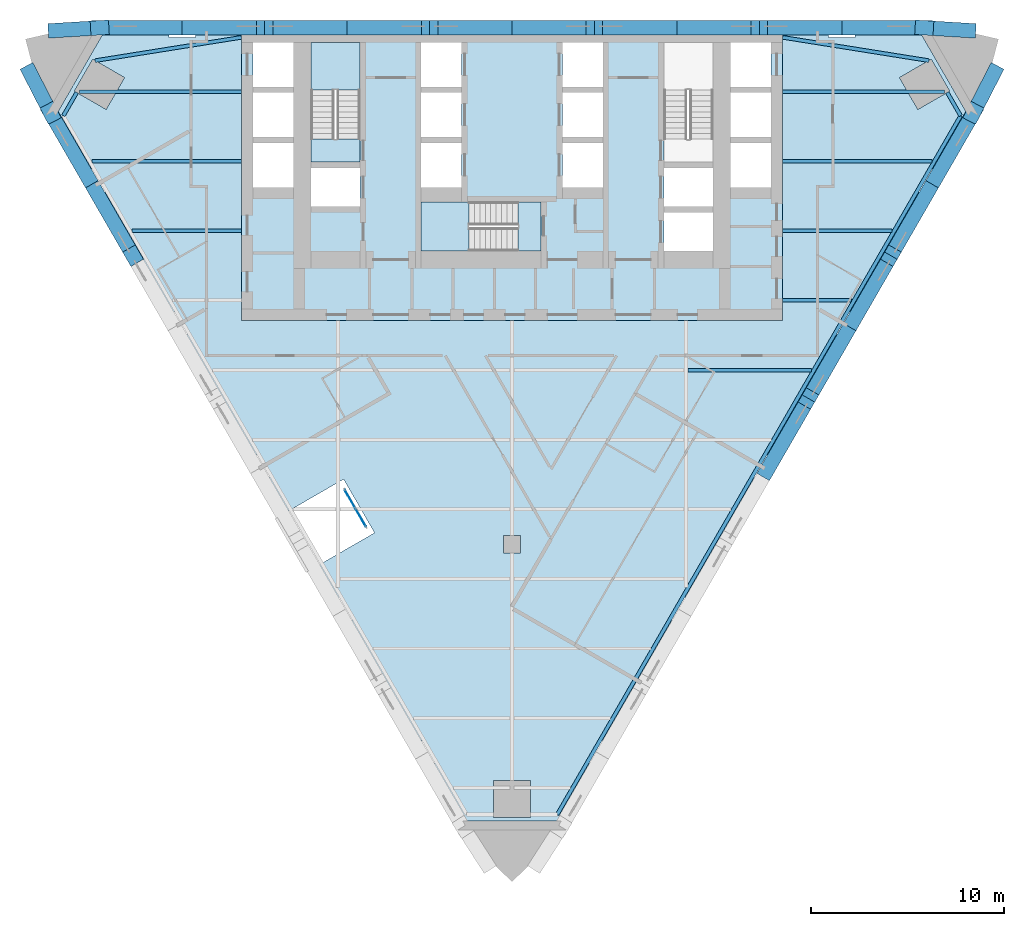
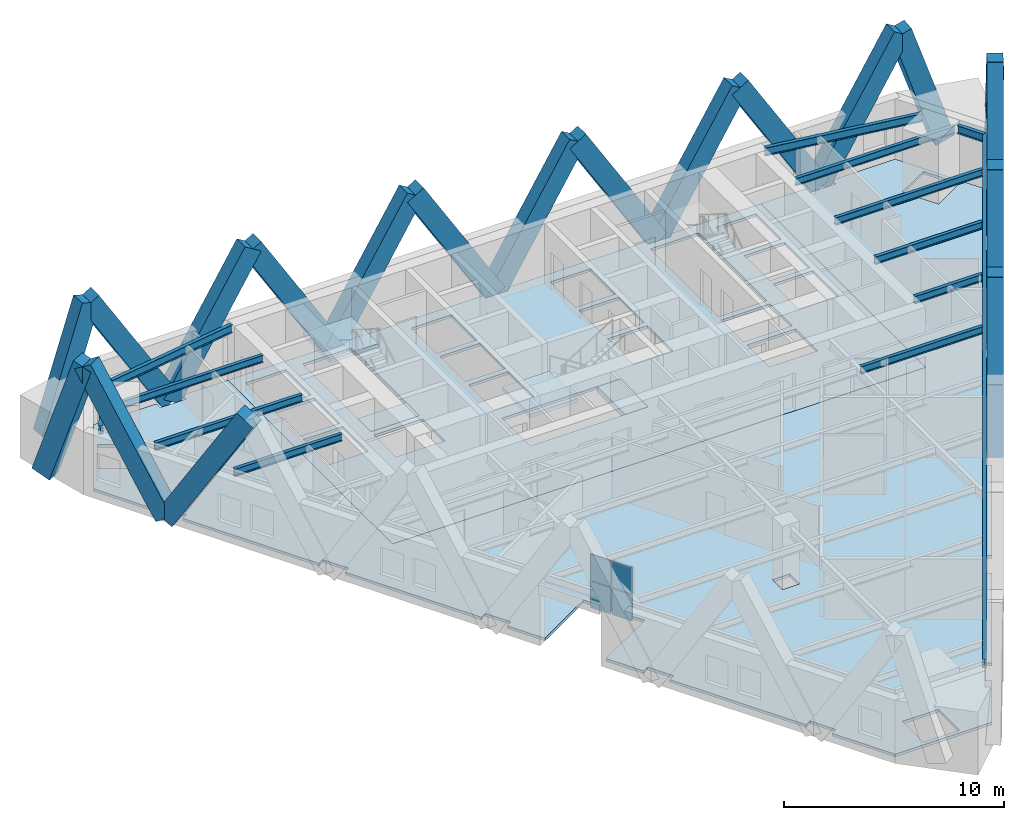
# One storey, part 5 of 12: 21 members, 13 beams, 6 slabs, 4 plates, 3 elements without a shape of their own.
"""IFC4 building model written with IfcOpenShell, lengths in metres."""

from ifc_helpers import new_model, si_unit, direction, frame, origin, origin_2d, place, context, subcontext, project, spatial, polyline, rectangle, i_section, outline, extrude, material, layer, layer_set, material_profile, profile_set, type_object, element, aggregate, save


model = new_model("IFC4")

# Units and contexts
model_context = context("Model", 3, precision=1e-05, world=origin(), true_north=direction((0.0, 1.0)))
body_context = subcontext(model_context, "Body", "Model", "MODEL_VIEW")
ifc_project = project(units=[si_unit("LENGTHUNIT", "METRE"), si_unit("AREAUNIT", "SQUARE_METRE"), si_unit("VOLUMEUNIT", "CUBIC_METRE"), si_unit("PLANEANGLEUNIT", "RADIAN"), si_unit("MASSUNIT", "GRAM", prefix="KILO")], contexts=[model_context])

# Site, building, storey
site_placement = place(None, origin())
site = spatial("IfcSite", under=ifc_project, at=site_placement, CompositionType="ELEMENT")
building_placement = place(site_placement, origin())
building = spatial("IfcBuilding", under=site, at=building_placement, Name="Aloe Facet Convention Tower", CompositionType="ELEMENT")
storey_placement = place(building_placement, frame((0.0, 0.0, 102.800048828125)))
storey = spatial("IfcBuildingStorey", under=building, at=storey_placement, Name="L25", CompositionType="ELEMENT", Elevation=102.800048828125)

# Beams
ifc_material_1 = material(Name="Steel S355", Category="steel")
ifc_material_profile_1 = material_profile(ifc_material_1, i_section(OverallWidth=0.177734375, OverallDepth=0.402587890625, WebThickness=0.0078125, FlangeThickness=0.010986328125, FilletRadius=0.01025390625, at=origin_2d()), Name="UB 406x178x54")
ifc_profile_set_1 = profile_set([ifc_material_profile_1], Name="Steel S355")
beam_type_1 = type_object("IfcBeamType", Name="SF-B-UB406x178x54", PredefinedType="BEAM", material=ifc_profile_set_1)
beam_1_placement = place(storey_placement, frame((57.6376953125, 131.39990234375, 3.148681640625), z_axis=(1.0, 0.0, 0.0), x_axis=(0.0, 1.0, 0.0)))
element("IfcBeam", 1, at=beam_1_placement, inside=storey, type_object=beam_type_1, Name="Floor beam FB-Z2B-013", PredefinedType="BEAM", context=body_context, shape_type="SweptSolid", body=[
    extrude(i_section(OverallWidth=0.177734375, OverallDepth=0.402587890625, WebThickness=0.0078125, FlangeThickness=0.010986328125, FilletRadius=0.01025390625, at=origin_2d()), origin(), (0.0, 0.0, 1.0), 8.3623046875),
])
beam_2_placement = place(storey_placement, frame((58.27294921875, 127.800048828125, 3.148681640625), z_axis=(1.0, 0.0, 0.0), x_axis=(0.0, 1.0, 0.0)))
element("IfcBeam", 2, at=beam_2_placement, inside=storey, type_object=beam_type_1, Name="Floor beam FB-Z2B-014", PredefinedType="BEAM", context=body_context, shape_type="SweptSolid", body=[
    extrude(i_section(OverallWidth=0.177734375, OverallDepth=0.402587890625, WebThickness=0.0078125, FlangeThickness=0.010986328125, FilletRadius=0.01025390625, at=origin_2d()), origin(), (0.0, 0.0, 1.0), 7.72705078125),
])
beam_3_placement = place(storey_placement, frame((60.351318359375, 124.199951171875, 3.148681640625), z_axis=(1.0, 0.0, 0.0), x_axis=(0.0, 1.0, 0.0)))
element("IfcBeam", 3, at=beam_3_placement, inside=storey, type_object=beam_type_1, Name="Floor beam FB-Z2B-015", PredefinedType="BEAM", context=body_context, shape_type="SweptSolid", body=[
    extrude(i_section(OverallWidth=0.177734375, OverallDepth=0.402587890625, WebThickness=0.0078125, FlangeThickness=0.010986328125, FilletRadius=0.01025390625, at=origin_2d()), origin(), (0.0, 0.0, 1.0), 5.648681640625),
])
beam_4_placement = place(storey_placement, frame((89.10546875, 117.0, 3.148681640625), z_axis=(1.0, 0.0, 0.0), x_axis=(0.0, 1.0, 0.0)))
element("IfcBeam", 4, at=beam_4_placement, inside=storey, type_object=beam_type_1, Name="Floor beam FB-Z2B-036", PredefinedType="BEAM", context=body_context, shape_type="SweptSolid", body=[
    extrude(i_section(OverallWidth=0.177734375, OverallDepth=0.402587890625, WebThickness=0.0078125, FlangeThickness=0.010986328125, FilletRadius=0.01025390625, at=origin_2d()), origin(), (0.0, 0.0, 1.0), 6.38623046875),
])
beam_5_placement = place(storey_placement, frame((94.0, 120.60009765625, 3.148681640625), z_axis=(1.0, 0.0, 0.0), x_axis=(0.0, 1.0, 0.0)))
element("IfcBeam", 5, at=beam_5_placement, inside=storey, type_object=beam_type_1, Name="Floor beam FB-Z2B-037", PredefinedType="BEAM", context=body_context, shape_type="SweptSolid", body=[
    extrude(i_section(OverallWidth=0.177734375, OverallDepth=0.402587890625, WebThickness=0.0078125, FlangeThickness=0.010986328125, FilletRadius=0.01025390625, at=origin_2d()), origin(), (0.0, 0.0, 1.0), 3.570068359375),
])
beam_6_placement = place(storey_placement, frame((94.0, 124.199951171875, 3.148681640625), z_axis=(1.0, 0.0, 0.0), x_axis=(0.0, 1.0, 0.0)))
element("IfcBeam", 6, at=beam_6_placement, inside=storey, type_object=beam_type_1, Name="Floor beam FB-Z2B-038", PredefinedType="BEAM", context=body_context, shape_type="SweptSolid", body=[
    extrude(i_section(OverallWidth=0.177734375, OverallDepth=0.402587890625, WebThickness=0.0078125, FlangeThickness=0.010986328125, FilletRadius=0.01025390625, at=origin_2d()), origin(), (0.0, 0.0, 1.0), 5.648681640625),
])
beam_7_placement = place(storey_placement, frame((94.0, 127.800048828125, 3.148681640625), z_axis=(1.0, 0.0, 0.0), x_axis=(0.0, 1.0, 0.0)))
element("IfcBeam", 7, at=beam_7_placement, inside=storey, type_object=beam_type_1, Name="Floor beam FB-Z2B-039", PredefinedType="BEAM", context=body_context, shape_type="SweptSolid", body=[
    extrude(i_section(OverallWidth=0.177734375, OverallDepth=0.402587890625, WebThickness=0.0078125, FlangeThickness=0.010986328125, FilletRadius=0.01025390625, at=origin_2d()), origin(), (0.0, 0.0, 1.0), 7.72705078125),
])
beam_8_placement = place(storey_placement, frame((94.0, 131.39990234375, 3.148681640625), z_axis=(1.0, 0.0, 0.0), x_axis=(0.0, 1.0, 0.0)))
element("IfcBeam", 8, at=beam_8_placement, inside=storey, type_object=beam_type_1, Name="Floor beam FB-Z2B-040", PredefinedType="BEAM", context=body_context, shape_type="SweptSolid", body=[
    extrude(i_section(OverallWidth=0.177734375, OverallDepth=0.402587890625, WebThickness=0.0078125, FlangeThickness=0.010986328125, FilletRadius=0.01025390625, at=origin_2d()), origin(), (0.0, 0.0, 1.0), 8.3623046875),
])
ifc_material_2 = material(Name="Steel S355", Category="steel")
ifc_material_profile_2 = material_profile(ifc_material_2, i_section(OverallWidth=0.18994140625, OverallDepth=0.453369140625, WebThickness=0.008544921875, FlangeThickness=0.0126953125, FilletRadius=0.01025390625, at=origin_2d()), Name="UB 457x191x67")
ifc_profile_set_2 = profile_set([ifc_material_profile_2], Name="Steel S355")
beam_type_2 = type_object("IfcBeamType", Name="SF-B-UB457x191x67", PredefinedType="BEAM", material=ifc_profile_set_2)
beam_9_placement = place(storey_placement, frame((56.79638671875, 130.150390625, 3.123291015625), z_axis=(0.500046568876, 0.865998515562, 0.0), x_axis=(-0.865998515562, 0.500046568876, 0.0)))
element("IfcBeam", 9, at=beam_9_placement, inside=storey, type_object=beam_type_2, Name="Floor beam FB-Z2B-001", PredefinedType="BEAM", context=body_context, shape_type="SweptSolid", body=[
    extrude(i_section(OverallWidth=0.18994140625, OverallDepth=0.453369140625, WebThickness=0.008544921875, FlangeThickness=0.0126953125, FilletRadius=0.01025390625, at=origin_2d()), origin(), (0.0, 0.0, 1.0), 1.390869140625),
])
for number, where, z_axis, x_axis, name in (
    (10, (58.44189453125, 133.00048828125, 3.123291015625), (0.987536396348, 0.15739080624, 0.0), (-0.15739080624, 0.987536396348, 0.0), "Floor beam FB-Z2B-002"),
    (11, (101.55810546875, 133.00048828125, 3.123291015625), (-0.987536396348, 0.15739080624, 0.0), (-0.15739080624, -0.987536396348, 0.0), "Floor beam FB-Z2B-006"),
):
    element("IfcBeam", number, at=place(storey_placement, frame(where, z_axis=z_axis, x_axis=x_axis)), inside=storey, type_object=beam_type_2, Name=name, PredefinedType="BEAM", context=body_context, shape_type="SweptSolid", body=[
        extrude(i_section(OverallWidth=0.18994140625, OverallDepth=0.453369140625, WebThickness=0.008544921875, FlangeThickness=0.0126953125, FilletRadius=0.01025390625, at=origin_2d()), origin(), (0.0, 0.0, 1.0), 7.653564453125),
    ])
beam_10_placement = place(storey_placement, frame((102.508056640625, 131.35498046875, 3.123291015625), z_axis=(0.500046568876, -0.865998515562, 0.0), x_axis=(0.865998515562, 0.500046568876, 0.0)))
element("IfcBeam", 12, at=beam_10_placement, inside=storey, type_object=beam_type_2, Name="Floor beam FB-Z2B-007", PredefinedType="BEAM", context=body_context, shape_type="SweptSolid", body=[
    extrude(i_section(OverallWidth=0.18994140625, OverallDepth=0.453369140625, WebThickness=0.008544921875, FlangeThickness=0.0126953125, FilletRadius=0.01025390625, at=origin_2d()), origin(), (0.0, 0.0, 1.0), 1.390869140625),
])
beam_11_placement = place(storey_placement, frame((103.20361328125, 130.150390625, 3.123291015625), z_axis=(-0.499997308433, -0.866026957756, 0.0), x_axis=(0.866026957756, -0.499997308433, 0.0)))
element("IfcBeam", 13, at=beam_11_placement, inside=storey, type_object=beam_type_2, Name="Floor beam FB-Z2B-008", PredefinedType="BEAM", context=body_context, shape_type="SweptSolid", body=[
    extrude(i_section(OverallWidth=0.18994140625, OverallDepth=0.453369140625, WebThickness=0.008544921875, FlangeThickness=0.0126953125, FilletRadius=0.01025390625, at=origin_2d()), origin(), (0.0, 0.0, 1.0), 41.725341796875),
])

# Members
ifc_material_3 = material(Name="Concrete C60/75, bronze oxide finish", Category="concrete")
ifc_material_profile_3 = material_profile(ifc_material_3, rectangle(XDim=0.75, YDim=1.0, at=origin_2d()), Name="STW-LM")
ifc_profile_set_3 = profile_set([ifc_material_profile_3], Name="Concrete C60/75, bronze oxide finish")
member_type = type_object("IfcMemberType", Name="STW-LM", PredefinedType="BRACE", material=ifc_profile_set_3)
for number, where, z_axis, x_axis, name in (
    (14, (97.05712890625, 134.699951171875, 0.0), (0.520261568685, 0.0, 0.854006967272), (0.0, 1.0, 0.0), "Lattice member LM-Z2-F1-R3-01"),
    (15, (97.05712890625, 134.699951171875, 0.0), (-0.520239844858, 0.0, 0.854020201062), (0.0, -1.0, 0.0), "Lattice member LM-Z2-F1-R3-02"),
    (16, (88.528564453125, 134.699951171875, 0.0), (0.520261568685, 0.0, 0.854006967272), (0.0, 1.0, 0.0), "Lattice member LM-Z2-F1-R3-03"),
    (17, (88.528564453125, 134.699951171875, 0.0), (-0.520239844858, 0.0, 0.854020201062), (0.0, -1.0, 0.0), "Lattice member LM-Z2-F1-R3-04"),
    (18, (80.0, 134.699951171875, 0.0), (0.520261568685, 0.0, 0.854006967272), (0.0, 1.0, 0.0), "Lattice member LM-Z2-F1-R3-05"),
    (19, (80.0, 134.699951171875, 0.0), (-0.520261568685, 0.0, 0.854006967272), (0.0, -1.0, 0.0), "Lattice member LM-Z2-F1-R3-06"),
    (20, (71.471435546875, 134.699951171875, 0.0), (0.520239844858, 0.0, 0.854020201062), (0.0, 1.0, 0.0), "Lattice member LM-Z2-F1-R3-07"),
    (21, (71.471435546875, 134.699951171875, 0.0), (-0.520261568685, 0.0, 0.854006967272), (0.0, -1.0, 0.0), "Lattice member LM-Z2-F1-R3-08"),
    (22, (62.94287109375, 134.699951171875, 0.0), (0.520239844858, 0.0, 0.854020201062), (0.0, 1.0, 0.0), "Lattice member LM-Z2-F1-R3-09"),
    (23, (62.94287109375, 134.699951171875, 0.0), (-0.520261568685, 0.0, 0.854006967272), (0.0, -1.0, 0.0), "Lattice member LM-Z2-F1-R3-10"),
):
    element("IfcMember", number, at=place(storey_placement, frame(where, z_axis=z_axis, x_axis=x_axis)), inside=storey, type_object=member_type, Name=name, PredefinedType="BRACE", context=body_context, shape_type="SweptSolid", body=[
        extrude(rectangle(XDim=0.75, YDim=1.0, at=origin_2d()), origin(), (0.0, 0.0, 1.0), 8.196533203125),
    ])
member_1_placement = place(storey_placement, frame((58.2705078125, 126.607177734375, 0.0), z_axis=(-0.260144200438, 0.450561177013, 0.854002119873), x_axis=(-0.866014930446, -0.500018139916, 0.0)))
element("IfcMember", 24, at=member_1_placement, inside=storey, type_object=member_type, Name="Lattice member LM-Z2-F2-R3-01", PredefinedType="BRACE", context=body_context, shape_type="SweptSolid", body=[
    extrude(rectangle(XDim=0.75, YDim=1.0, at=origin_2d()), origin(), (0.0, 0.0, 1.0), 8.19677734375),
])
for number, where, z_axis, x_axis, name in (
    (25, (58.2705078125, 126.607177734375, 0.0), (0.26011992139, -0.45054092877, 0.854020197653), (0.866025408043, 0.499999992624, 0.0), "Lattice member LM-Z2-F2-R3-02"),
    (26, (93.200927734375, 111.835205078125, 0.0), (0.260116430601, 0.450564668007, 0.854008736768), (-0.866039720501, 0.4999752019, 0.0), "Lattice member LM-Z2-F3-R3-06"),
    (27, (97.46533203125, 119.22119140625, 0.0), (-0.260147691546, -0.450537437867, 0.854013580491), (0.866000615939, -0.500042931351, 0.0), "Lattice member LM-Z2-F3-R3-07"),
    (28, (97.46533203125, 119.22119140625, 0.0), (0.260116430601, 0.450564668007, 0.854008736768), (-0.866039720501, 0.4999752019, 0.0), "Lattice member LM-Z2-F3-R3-08"),
    (29, (101.7294921875, 126.607177734375, 0.0), (-0.26011992139, -0.45054092877, 0.854020197653), (0.866025408043, -0.499999992624, 0.0), "Lattice member LM-Z2-F3-R3-09"),
):
    element("IfcMember", number, at=place(storey_placement, frame(where, z_axis=z_axis, x_axis=x_axis)), inside=storey, type_object=member_type, Name=name, PredefinedType="BRACE", context=body_context, shape_type="SweptSolid", body=[
        extrude(rectangle(XDim=0.75, YDim=1.0, at=origin_2d()), origin(), (0.0, 0.0, 1.0), 8.196533203125),
    ])
member_2_placement = place(storey_placement, frame((101.7294921875, 126.607177734375, 0.0), z_axis=(0.260144200438, 0.450561177013, 0.854002119873), x_axis=(-0.866014930446, 0.500018139916, 0.0)))
element("IfcMember", 30, at=member_2_placement, inside=storey, type_object=member_type, Name="Lattice member LM-Z2-F3-R3-10", PredefinedType="BRACE", context=body_context, shape_type="SweptSolid", body=[
    extrude(rectangle(XDim=0.75, YDim=1.0, at=origin_2d()), origin(), (0.0, 0.0, 1.0), 8.19677734375),
])
member_3_placement = place(storey_placement, frame((104.89404296875, 132.3076171875, 0.1728515625), z_axis=(-0.14355211909, -0.279159300652, 0.949453987281), x_axis=(0.889307911629, -0.457308909069, 0.0)))
element("IfcMember", 31, at=member_3_placement, inside=storey, type_object=member_type, Name="Lattice member LM-Z2-F6-R2-05", PredefinedType="BRACE", context=body_context, shape_type="SweptSolid", body=[
    extrude(rectangle(XDim=0.75, YDim=1.0, at=origin_2d()), origin(), (0.0, 0.0, 1.0), 7.190673828125),
])
for number, where, z_axis, x_axis, name in (
    (32, (103.512451171875, 134.56689453125, 0.41357421875), (-0.315578834817, 0.019165418428, 0.948705795151), (-0.060619313829, -0.998160958358, 0.0), "Lattice member LM-Z2-F6-R2-06"),
    (33, (56.487548828125, 134.56689453125, 0.41357421875), (0.315578834817, 0.019165418428, 0.948705795151), (-0.060619313829, 0.998160958358, 0.0), "Lattice member LM-Z2-F4-R2-05"),
):
    element("IfcMember", number, at=place(storey_placement, frame(where, z_axis=z_axis, x_axis=x_axis)), inside=storey, type_object=member_type, Name=name, PredefinedType="BRACE", context=body_context, shape_type="SweptSolid", body=[
        extrude(rectangle(XDim=0.75, YDim=1.0, at=origin_2d()), origin(), (0.0, 0.0, 1.0), 6.942626953125),
    ])
member_4_placement = place(storey_placement, frame((55.10595703125, 132.3076171875, 0.1728515625), z_axis=(0.14355211909, -0.279159300652, 0.949453987281), x_axis=(0.889307911629, 0.457308909069, 0.0)))
element("IfcMember", 34, at=member_4_placement, inside=storey, type_object=member_type, Name="Lattice member LM-Z2-F4-R2-06", PredefinedType="BRACE", context=body_context, shape_type="SweptSolid", body=[
    extrude(rectangle(XDim=0.75, YDim=1.0, at=origin_2d()), origin(), (0.0, 0.0, 1.0), 7.190673828125),
])

# Slabs
ifc_material_4 = material(Name="Concrete C70/85", Category="concrete")
ifc_layer_1 = layer(ifc_material_4, 0.14990234375)
ifc_layer_set_1 = layer_set([ifc_layer_1], Name="CR-S-FLOOR150-C7085")
slab_type_1 = type_object("IfcSlabType", Name="CR-S-FLOOR150-C7085", PredefinedType="FLOOR", material=ifc_layer_set_1)
slab_1_placement = place(storey_placement, frame((0.0, 0.0, -0.150146484375)))
element("IfcSlab", 35, at=slab_1_placement, inside=storey, type_object=slab_type_1, Name="Core floor L25", PredefinedType="FLOOR", context=body_context, shape_type="SweptSolid", body=[
    extrude(outline(polyline([(69.300048828125, 134.550048828125), (71.85009765625, 134.550048828125), (72.75, 134.550048828125), (74.699951171875, 134.550048828125), (75.60009765625, 134.550048828125), (77.10009765625, 134.550048828125), (78.0, 134.550048828125), (82.0, 134.550048828125), (82.89990234375, 134.550048828125), (84.39990234375, 134.550048828125), (85.300048828125, 134.550048828125), (87.25, 134.550048828125), (88.14990234375, 134.550048828125), (90.699951171875, 134.550048828125), (91.0, 134.550048828125), (94.0, 134.550048828125), (94.0, 131.949951171875), (94.0, 131.050048828125), (94.0, 129.35009765625), (94.0, 128.449951171875), (94.0, 126.449951171875), (94.0, 125.85009765625), (94.0, 124.949951171875), (94.0, 123.89990234375), (94.0, 122.871337890625), (94.0, 121.821533203125), (94.0, 119.550048828125), (91.300048828125, 119.550048828125), (90.699951171875, 119.550048828125), (87.89990234375, 119.550048828125), (86.85009765625, 119.550048828125), (85.699951171875, 119.550048828125), (84.64990234375, 119.550048828125), (83.699951171875, 119.550048828125), (82.64990234375, 119.550048828125), (81.75, 119.550048828125), (80.699951171875, 119.550048828125), (79.61669921875, 119.550048828125), (78.566650390625, 119.550048828125), (77.4833984375, 119.550048828125), (76.433349609375, 119.550048828125), (75.35009765625, 119.550048828125), (74.300048828125, 119.550048828125), (73.14990234375, 119.550048828125), (72.10009765625, 119.550048828125), (69.300048828125, 119.550048828125), (68.699951171875, 119.550048828125), (66.0, 119.550048828125), (66.0, 122.523681640625), (66.0, 123.57373046875), (66.0, 125.85009765625), (66.0, 126.449951171875), (66.0, 128.449951171875), (66.0, 129.35009765625), (66.0, 131.050048828125), (66.0, 131.949951171875), (66.0, 134.550048828125), (69.0, 134.550048828125), (69.300048828125, 134.550048828125)]), holes=[polyline([(75.300048828125, 123.14990234375), (80.298828125, 123.14990234375), (81.5, 123.14990234375), (81.5, 125.699951171875), (80.298828125, 125.699951171875), (75.300048828125, 125.699951171875), (75.300048828125, 123.14990234375)]), polyline([(69.60009765625, 125.449951171875), (72.14990234375, 125.449951171875), (72.14990234375, 127.449951171875), (69.60009765625, 127.449951171875), (69.60009765625, 125.449951171875)]), polyline([(66.60009765625, 126.449951171875), (68.699951171875, 126.449951171875), (68.699951171875, 128.75), (66.60009765625, 128.75), (66.60009765625, 126.449951171875)]), polyline([(75.300048828125, 126.449951171875), (77.39990234375, 126.449951171875), (77.39990234375, 128.75), (75.300048828125, 128.75), (75.300048828125, 126.449951171875)]), polyline([(66.60009765625, 129.050048828125), (68.699951171875, 129.050048828125), (68.699951171875, 131.35009765625), (66.60009765625, 131.35009765625), (66.60009765625, 129.050048828125)]), polyline([(75.300048828125, 129.050048828125), (77.39990234375, 129.050048828125), (77.39990234375, 131.35009765625), (75.300048828125, 131.35009765625), (75.300048828125, 129.050048828125)]), polyline([(69.60009765625, 133.949951171875), (69.60009765625, 128.951171875), (69.60009765625, 127.75), (72.14990234375, 127.75), (72.14990234375, 128.951171875), (72.14990234375, 133.949951171875), (69.60009765625, 133.949951171875)]), polyline([(66.60009765625, 133.949951171875), (66.60009765625, 131.64990234375), (68.699951171875, 131.64990234375), (68.699951171875, 133.949951171875), (66.60009765625, 133.949951171875)]), polyline([(75.300048828125, 133.949951171875), (75.300048828125, 131.64990234375), (77.39990234375, 131.64990234375), (77.39990234375, 133.949951171875), (75.300048828125, 133.949951171875)]), polyline([(87.85009765625, 123.14990234375), (90.39990234375, 123.14990234375), (90.39990234375, 125.14990234375), (87.85009765625, 125.14990234375), (87.85009765625, 123.14990234375)]), polyline([(87.85009765625, 125.449951171875), (90.39990234375, 125.449951171875), (90.39990234375, 127.449951171875), (87.85009765625, 127.449951171875), (87.85009765625, 125.449951171875)]), polyline([(82.60009765625, 126.449951171875), (84.699951171875, 126.449951171875), (84.699951171875, 128.75), (82.60009765625, 128.75), (82.60009765625, 126.449951171875)]), polyline([(91.300048828125, 126.449951171875), (93.39990234375, 126.449951171875), (93.39990234375, 128.75), (91.300048828125, 128.75), (91.300048828125, 126.449951171875)]), polyline([(82.60009765625, 129.050048828125), (84.699951171875, 129.050048828125), (84.699951171875, 131.35009765625), (82.60009765625, 131.35009765625), (82.60009765625, 129.050048828125)]), polyline([(91.300048828125, 129.050048828125), (93.39990234375, 129.050048828125), (93.39990234375, 131.35009765625), (91.300048828125, 131.35009765625), (91.300048828125, 129.050048828125)]), polyline([(87.85009765625, 133.949951171875), (87.85009765625, 128.951171875), (87.85009765625, 127.75), (90.39990234375, 127.75), (90.39990234375, 128.951171875), (90.39990234375, 133.949951171875), (87.85009765625, 133.949951171875)]), polyline([(82.60009765625, 133.949951171875), (82.60009765625, 131.64990234375), (84.699951171875, 131.64990234375), (84.699951171875, 133.949951171875), (82.60009765625, 133.949951171875)]), polyline([(91.300048828125, 133.949951171875), (91.300048828125, 131.64990234375), (93.39990234375, 131.64990234375), (93.39990234375, 133.949951171875), (91.300048828125, 133.949951171875)])]), origin(), (0.0, 0.0, 1.0), 0.150146484375),
])
ifc_material_5 = material(Name="Concrete C70/85", Category="concrete")
ifc_layer_2 = layer(ifc_material_5, 0.300048828125)
ifc_layer_set_2 = layer_set([ifc_layer_2], Name="CR-S-FLOOR300-C7085")
slab_type_2 = type_object("IfcSlabType", Name="CR-S-FLOOR300-C7085", PredefinedType="FLOOR", material=ifc_layer_set_2)
slab_2_placement = place(storey_placement, frame((0.0, 0.0, -0.300048828125)))
element("IfcSlab", 36, at=slab_2_placement, inside=storey, type_object=slab_type_2, Name="Stair landing floor L25", PredefinedType="FLOOR", context=body_context, shape_type="SweptSolid", body=[
    extrude(outline(polyline([(72.14990234375, 127.75), (72.14990234375, 128.951171875), (69.60009765625, 128.951171875), (69.60009765625, 127.75), (72.14990234375, 127.75)])), origin(), (0.0, 0.0, 1.0), 0.300048828125),
])
slab_3_placement = place(storey_placement, frame((0.0, 0.0, -0.300048828125)))
element("IfcSlab", 37, at=slab_3_placement, inside=storey, type_object=slab_type_2, Name="Stair landing floor L25", PredefinedType="FLOOR", context=body_context, shape_type="SweptSolid", body=[
    extrude(outline(polyline([(81.5, 125.699951171875), (80.298828125, 125.699951171875), (80.298828125, 123.14990234375), (81.5, 123.14990234375), (81.5, 125.699951171875)])), origin(), (0.0, 0.0, 1.0), 0.300048828125),
])

# Stair, slab
ifc_material_6 = material(Name="Concrete C50/60", Category="concrete")
stair_type = type_object("IfcStairType", Name="CR-ST-20R", PredefinedType="HALF_TURN_STAIR", material=ifc_material_6)
stair_1_placement = place(storey_placement, origin())
stair_1 = element("IfcStair", 38, at=stair_1_placement, inside=storey, type_object=stair_type, Name="L25 Protected exit stair ST1", PredefinedType="HALF_TURN_STAIR")
ifc_material_7 = material(Name="Concrete C50/60", Category="concrete")
ifc_layer_3 = layer(ifc_material_7, 0.199951171875)
ifc_layer_set_3 = layer_set([ifc_layer_3], Name="CR-SL-LANDING")
slab_type_3 = type_object("IfcSlabType", Name="CR-SL-LANDING", PredefinedType="LANDING", material=ifc_layer_set_3)
slab_4_placement = place(storey_placement, frame((0.0, 0.0, 1.550048828125)))
slab_4 = element("IfcSlab", 39, at=slab_4_placement, type_object=slab_type_3, Name="ST1 landing 1", PredefinedType="LANDING", context=body_context, shape_type="SweptSolid", body=[
    extrude(outline(polyline([(72.14990234375, 131.469970703125), (72.14990234375, 133.949951171875), (69.60009765625, 133.949951171875), (69.60009765625, 131.469970703125), (72.14990234375, 131.469970703125)])), origin(), (0.0, 0.0, 1.0), 0.199951171875),
])
aggregate(stair_1, [slab_4])

stair_2_placement = place(storey_placement, origin())
stair_2 = element("IfcStair", 40, at=stair_2_placement, inside=storey, type_object=stair_type, Name="L25 Protected exit stair ST3", PredefinedType="HALF_TURN_STAIR")
slab_5_placement = place(storey_placement, frame((0.0, 0.0, 1.550048828125)))
slab_5 = element("IfcSlab", 41, at=slab_5_placement, type_object=slab_type_3, Name="ST3 landing 1", PredefinedType="LANDING", context=body_context, shape_type="SweptSolid", body=[
    extrude(outline(polyline([(77.780029296875, 125.699951171875), (75.300048828125, 125.699951171875), (75.300048828125, 123.14990234375), (77.780029296875, 123.14990234375), (77.780029296875, 125.699951171875)])), origin(), (0.0, 0.0, 1.0), 0.199951171875),
])
aggregate(stair_2, [slab_5])

# Curtain wall, plates
ifc_material_8 = material(Name="Aluminium, anodised", Category="aluminium")
curtain_wall_type = type_object("IfcCurtainWallType", Name="EV-CW-TERRACE", PredefinedType="USERDEFINED", material=ifc_material_8)
curtain_wall_placement = place(storey_placement, origin())
curtain_wall = element("IfcCurtainWall", 42, at=curtain_wall_placement, inside=storey, type_object=curtain_wall_type, Name="CW-T05", ObjectType="TERRACE BACK GLAZING", PredefinedType="USERDEFINED")
ifc_material_9 = material(Name="Clear double glazing", Category="glass")
ifc_layer_4 = layer(ifc_material_9, 0.028076171875)
ifc_layer_set_4 = layer_set([ifc_layer_4], Name="EV-PANEL-TERRACE")
plate_type = type_object("IfcPlateType", Name="EV-PANEL-TERRACE", PredefinedType="CURTAIN_PANEL", material=ifc_layer_set_4)
plate_1_placement = place(storey_placement, frame((71.617431640625, 110.33984375, -0.08984375), z_axis=(0.0, 0.0, 1.0), x_axis=(0.49999999994, -0.866025403819, 0.0)))
plate_1 = element("IfcPlate", 43, at=plate_1_placement, type_object=plate_type, Name="CW-T05 panel 1.1", PredefinedType="CURTAIN_PANEL", context=body_context, shape_type="SweptSolid", body=[
    extrude(rectangle(XDim=1.06005859375, YDim=0.028076171875, at=origin_2d()), origin(), (0.0, 0.0, 1.0), 1.458740234375),
])
plate_2_placement = place(storey_placement, frame((71.617431640625, 110.33984375, 1.4287109375), z_axis=(0.0, 0.0, 1.0), x_axis=(0.49999999994, -0.866025403819, 0.0)))
plate_2 = element("IfcPlate", 44, at=plate_2_placement, type_object=plate_type, Name="CW-T05 panel 1.2", PredefinedType="CURTAIN_PANEL", context=body_context, shape_type="SweptSolid", body=[
    extrude(rectangle(XDim=1.06005859375, YDim=0.028076171875, at=origin_2d()), origin(), (0.0, 0.0, 1.0), 1.458740234375),
])
plate_3_placement = place(storey_placement, frame((72.17724609375, 109.369873046875, -0.08984375), z_axis=(0.0, 0.0, 1.0), x_axis=(0.49999999994, -0.866025403819, 0.0)))
plate_3 = element("IfcPlate", 45, at=plate_3_placement, type_object=plate_type, Name="CW-T05 panel 2.1", PredefinedType="CURTAIN_PANEL", context=body_context, shape_type="SweptSolid", body=[
    extrude(rectangle(XDim=1.06005859375, YDim=0.028076171875, at=origin_2d()), origin(), (0.0, 0.0, 1.0), 1.458740234375),
])
plate_4_placement = place(storey_placement, frame((72.17724609375, 109.369873046875, 1.4287109375), z_axis=(0.0, 0.0, 1.0), x_axis=(0.49999999994, -0.866025403819, 0.0)))
plate_4 = element("IfcPlate", 46, at=plate_4_placement, type_object=plate_type, Name="CW-T05 panel 2.2", PredefinedType="CURTAIN_PANEL", context=body_context, shape_type="SweptSolid", body=[
    extrude(rectangle(XDim=1.06005859375, YDim=0.028076171875, at=origin_2d()), origin(), (0.0, 0.0, 1.0), 1.458740234375),
])
aggregate(curtain_wall, [plate_1, plate_2, plate_3, plate_4])

# Slab
ifc_material_10 = material(Name="Concrete C35/45", Category="concrete")
ifc_layer_5 = layer(ifc_material_10, 0.14990234375)
ifc_layer_set_5 = layer_set([ifc_layer_5], Name="SF-FS-150")
slab_type_4 = type_object("IfcSlabType", Name="SF-FS-150", PredefinedType="FLOOR", material=ifc_layer_set_5)
slab_6_placement = place(storey_placement, frame((0.0, 0.0, -0.150146484375)))
element("IfcSlab", 47, at=slab_6_placement, inside=storey, type_object=slab_type_4, Name="Floor slab L25-1", PredefinedType="FLOOR", context=body_context, shape_type="SweptSolid", body=[
    extrude(outline(polyline([(58.938232421875, 134.550048828125), (62.265869140625, 134.550048828125), (62.265869140625, 134.199951171875), (62.357421875, 134.199951171875), (62.696533203125, 134.199951171875), (62.94287109375, 134.199951171875), (63.18896484375, 134.199951171875), (63.5283203125, 134.199951171875), (63.61962890625, 134.199951171875), (63.61962890625, 134.550048828125), (66.0, 134.550048828125), (66.0, 131.949951171875), (66.0, 131.050048828125), (66.0, 129.35009765625), (66.0, 128.449951171875), (66.0, 126.449951171875), (66.0, 125.85009765625), (66.0, 123.57373046875), (66.0, 122.523681640625), (66.0, 119.550048828125), (68.699951171875, 119.550048828125), (69.300048828125, 119.550048828125), (72.10009765625, 119.550048828125), (73.14990234375, 119.550048828125), (74.300048828125, 119.550048828125), (75.35009765625, 119.550048828125), (76.433349609375, 119.550048828125), (77.4833984375, 119.550048828125), (78.566650390625, 119.550048828125), (79.61669921875, 119.550048828125), (80.699951171875, 119.550048828125), (81.75, 119.550048828125), (82.64990234375, 119.550048828125), (83.699951171875, 119.550048828125), (84.64990234375, 119.550048828125), (85.699951171875, 119.550048828125), (86.85009765625, 119.550048828125), (87.89990234375, 119.550048828125), (90.699951171875, 119.550048828125), (91.300048828125, 119.550048828125), (94.0, 119.550048828125), (94.0, 121.8212890625), (94.0, 122.871337890625), (94.0, 123.89990234375), (94.0, 124.949951171875), (94.0, 125.85009765625), (94.0, 126.449951171875), (94.0, 128.449951171875), (94.0, 129.35009765625), (94.0, 131.050048828125), (94.0, 131.949951171875), (94.0, 134.550048828125), (96.38037109375, 134.550048828125), (96.38037109375, 134.199951171875), (96.4716796875, 134.199951171875), (96.81103515625, 134.199951171875), (97.05712890625, 134.199951171875), (97.303466796875, 134.199951171875), (97.642578125, 134.199951171875), (97.734130859375, 134.199951171875), (97.734130859375, 134.550048828125), (101.061767578125, 134.550048828125), (103.601806640625, 130.150390625), (101.93798828125, 127.268310546875), (101.635009765625, 127.443359375), (101.543212890625, 127.2841796875), (101.419677734375, 127.070556640625), (101.050048828125, 126.430419921875), (101.00390625, 126.35009765625), (100.9580078125, 126.27099609375), (101.26123046875, 126.09619140625), (97.673828125, 119.88232421875), (97.37060546875, 120.057373046875), (96.9091796875, 119.258056640625), (96.739501953125, 118.964111328125), (96.69384765625, 118.885009765625), (96.996826171875, 118.710205078125), (93.409423828125, 112.496337890625), (93.1064453125, 112.67138671875), (92.89111328125, 112.298583984375), (92.79931640625, 112.139404296875), (92.644775390625, 111.8720703125), (92.644775390625, 111.8720703125), (92.610595703125, 111.812744140625), (92.47509765625, 111.578125), (92.429443359375, 111.4990234375), (92.732666015625, 111.32421875), (89.145263671875, 105.1103515625), (88.842041015625, 105.285400390625), (88.75, 105.126220703125), (88.503662109375, 104.69921875), (88.2109375, 104.192138671875), (88.165283203125, 104.113037109375), (88.46826171875, 103.93798828125), (84.880859375, 97.724365234375), (84.577880859375, 97.8994140625), (84.529296875, 97.8154296875), (84.2392578125, 97.313232421875), (83.946533203125, 96.80615234375), (83.90087890625, 96.72705078125), (84.2041015625, 96.552001953125), (82.540283203125, 93.67041015625), (77.459716796875, 93.67041015625), (75.7958984375, 96.552001953125), (76.09912109375, 96.72705078125), (76.053466796875, 96.80615234375), (75.8837890625, 97.10009765625), (75.422119140625, 97.8994140625), (75.119140625, 97.724365234375), (71.53173828125, 103.93798828125), (71.834716796875, 104.113037109375), (71.7890625, 104.192138671875), (71.619384765625, 104.486083984375), (71.157958984375, 105.285400390625), (70.854736328125, 105.1103515625), (69.861083984375, 106.83154296875), (72.89208984375, 108.58154296875), (71.292236328125, 111.352783203125), (68.260986328125, 109.602783203125), (67.267333984375, 111.32421875), (67.570556640625, 111.4990234375), (67.52490234375, 111.578125), (67.232177734375, 112.085205078125), (67.1201171875, 112.279296875), (66.8935546875, 112.67138671875), (66.590576171875, 112.496337890625), (63.003173828125, 118.710205078125), (63.30615234375, 118.885009765625), (63.0908203125, 119.258056640625), (62.9677734375, 119.47119140625), (62.675048828125, 119.978271484375), (62.62939453125, 120.057373046875), (62.326171875, 119.88232421875), (58.73876953125, 126.09619140625), (59.0419921875, 126.27099609375), (58.99609375, 126.35009765625), (58.959716796875, 126.413330078125), (58.580322265625, 127.070556640625), (58.364990234375, 127.443359375), (58.06201171875, 127.268310546875), (56.398193359375, 130.150390625), (58.938232421875, 134.550048828125)]), holes=[polyline([(59.9619140625, 132.122802734375), (58.31640625, 133.072998046875), (57.366455078125, 131.427490234375), (59.01171875, 130.477294921875), (59.9619140625, 132.122802734375)]), polyline([(79.050048828125, 95.770263671875), (79.050048828125, 93.870361328125), (80.949951171875, 93.870361328125), (80.949951171875, 95.770263671875), (79.050048828125, 95.770263671875)]), polyline([(79.550048828125, 107.550048828125), (80.449951171875, 107.550048828125), (80.449951171875, 108.449951171875), (79.550048828125, 108.449951171875), (79.550048828125, 107.550048828125)]), polyline([(100.98828125, 130.477294921875), (102.633544921875, 131.427490234375), (101.68359375, 133.072998046875), (100.0380859375, 132.122802734375), (100.98828125, 130.477294921875)])]), origin(), (0.0, 0.0, 1.0), 0.150146484375),
])

save(model, "model.ifc")
